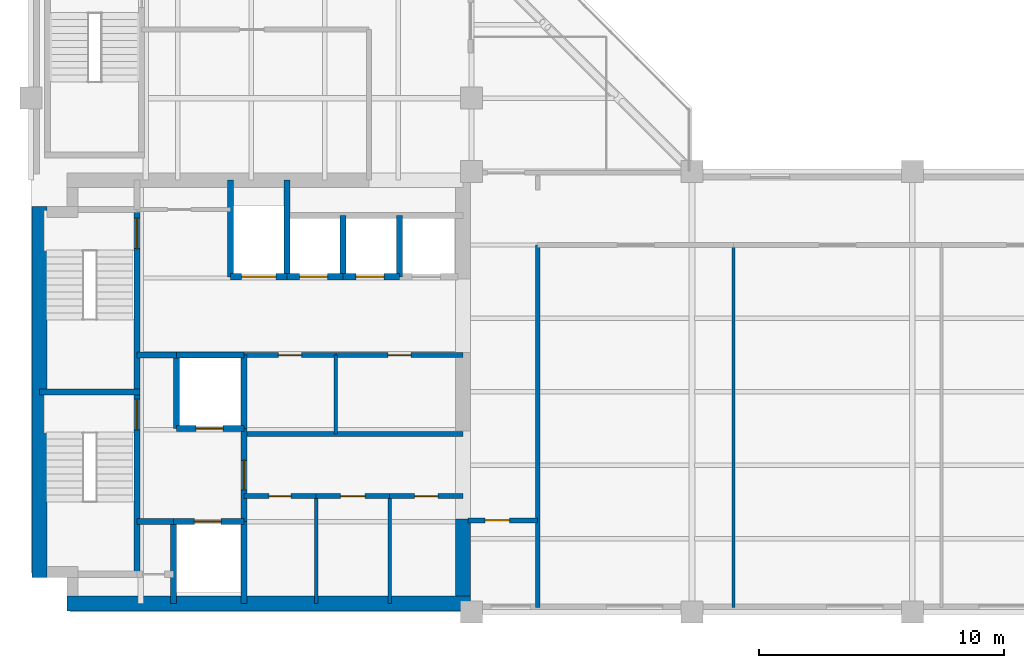
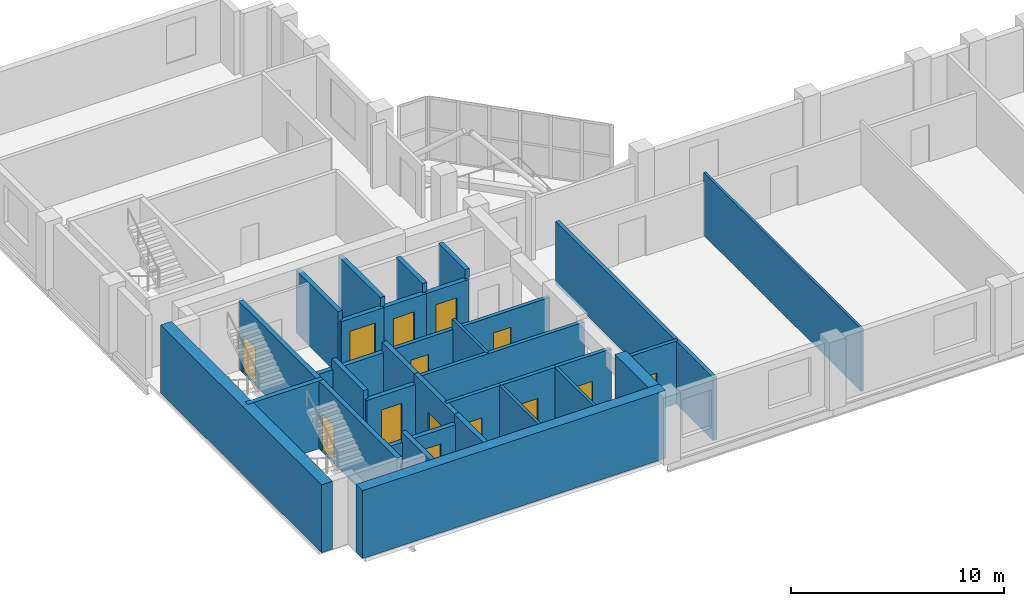
# One storey, part 5 of 9: 35 walls, 14 doors, 14 openings.
"""IFC4 building model written with IfcOpenShell, lengths in metres."""

from ifc_helpers import new_model, si_unit, direction, frame, frame_2d, origin, place, context, subcontext, project, spatial, rectangle, extrude, material, layer, layer_set, type_object, element, fill, save


model = new_model("IFC4")

# Units and contexts
model_context = context("Model", 3, precision=1e-05, world=origin(), true_north=direction((0.0, 1.0)))
body_context = subcontext(model_context, "Body", "Model", "MODEL_VIEW")
ifc_project = project(units=[si_unit("LENGTHUNIT", "METRE"), si_unit("AREAUNIT", "SQUARE_METRE"), si_unit("VOLUMEUNIT", "CUBIC_METRE"), si_unit("PLANEANGLEUNIT", "RADIAN"), si_unit("MASSUNIT", "GRAM", prefix="KILO")], contexts=[model_context])

# Site, building, storey
site_placement = place(None, origin())
site = spatial("IfcSite", under=ifc_project, at=site_placement, CompositionType="ELEMENT")
building_placement = place(site_placement, origin())
building = spatial("IfcBuilding", under=site, at=building_placement, Name="Mawjdan Bourse Tower", CompositionType="ELEMENT")
storey_placement = place(building_placement, frame((0.0, 0.0, 222.89990234375)))
storey = spatial("IfcBuildingStorey", under=building, at=storey_placement, Name="L54", CompositionType="ELEMENT", Elevation=222.89990234375)

# Wall, opening, door
ifc_material_1 = material(Name="Gypsum Fireboard Assembly")
ifc_layer_1 = layer(ifc_material_1, 0.199951171875)
ifc_layer_set_1 = layer_set([ifc_layer_1], Name="Gypsum Fireboard Assembly")
wall_type_1 = type_object("IfcWallType", Name="WL-CMP-200", PredefinedType="PARTITIONING", material=ifc_layer_set_1)
wall_1_placement = place(storey_placement, frame((14.699951171875, 7.739990234375, 0.0), z_axis=(0.0, 0.0, 1.0), x_axis=(1.0, 0.0, 0.0)))
wall_1 = element("IfcWall", 1, at=wall_1_placement, inside=storey, type_object=wall_type_1, Name="L54 IT & Telemetry Room North Wall", PredefinedType="PARTITIONING", context=body_context, shape_type="SweptSolid", body=[
    extrude(rectangle(XDim=2.949951171875, YDim=0.199951171875, at=frame_2d((1.47509765625, 0.0))), origin(), (0.0, 0.0, 1.0), 3.610107421875),
])
opening_1_placement = place(wall_1_placement, frame((1.02490234375, 0.0, 0.0)))
opening_1 = element("IfcOpeningElement", 2, at=opening_1_placement, cuts=wall_1, Name="Opening D-L54-13", PredefinedType="OPENING", context=body_context, shape_type="SweptSolid", body=[
    extrude(rectangle(XDim=0.89990234375, YDim=2.10009765625, at=frame_2d((0.449951171875, 1.050048828125))), frame((0.0, 0.10986328125, 0.0), z_axis=(0.0, -1.0, 0.0), x_axis=(1.0, 0.0, 0.0)), (0.0, 0.0, 1.0), 0.219970703125),
])
ifc_material_2 = material(Name="Fire-Rated Steel Access Leaf", Category="steel")
door_type_1 = type_object("IfcDoorType", Name="FD-RSR-0900", OperationType="NOTDEFINED", PredefinedType="TRAPDOOR", material=ifc_material_2)
door_1_placement = place(opening_1_placement, origin())
door_1 = element("IfcDoor", 3, at=door_1_placement, inside=storey, type_object=door_type_1, Name="L54 IT & Telemetry Room Door D-L54-13", OperationType="SINGLE_SWING_LEFT", OverallHeight=2.10009765625, OverallWidth=0.89990234375, PredefinedType="TRAPDOOR", context=body_context, shape_type="SweptSolid", body=[
    extrude(rectangle(XDim=0.89990234375, YDim=2.10009765625, at=frame_2d((0.449951171875, 1.050048828125))), frame((0.0, 0.02490234375, 0.0), z_axis=(0.0, -1.0, 0.0), x_axis=(1.0, 0.0, 0.0)), (0.0, 0.0, 1.0), 0.050048828125),
])
fill(opening_1, door_1)

wall_2_placement = place(storey_placement, frame((17.64990234375, 7.739990234375, 0.0), z_axis=(0.0, 0.0, 1.0), x_axis=(1.0, 0.0, 0.0)))
wall_2 = element("IfcWall", 4, at=wall_2_placement, inside=storey, type_object=wall_type_1, Name="L54 Mail & Courier Office North Wall", PredefinedType="PARTITIONING", context=body_context, shape_type="SweptSolid", body=[
    extrude(rectangle(XDim=3.0, YDim=0.199951171875, at=frame_2d((1.5, 0.0))), origin(), (0.0, 0.0, 1.0), 3.610107421875),
])
opening_2_placement = place(wall_2_placement, frame((1.0, 0.0, 0.0)))
opening_2 = element("IfcOpeningElement", 5, at=opening_2_placement, cuts=wall_2, Name="Opening D-L54-14", PredefinedType="OPENING", context=body_context, shape_type="SweptSolid", body=[
    extrude(rectangle(XDim=1.0, YDim=2.14990234375, at=frame_2d((0.5, 1.074951171875))), frame((0.0, 0.10986328125, 0.0), z_axis=(0.0, -1.0, 0.0), x_axis=(1.0, 0.0, 0.0)), (0.0, 0.0, 1.0), 0.219970703125),
])
ifc_material_3 = material(Name="Hardwood Acoustic Leaf", Category="wood")
door_type_2 = type_object("IfcDoorType", Name="DR-OFC-1000", OperationType="NOTDEFINED", PredefinedType="DOOR", material=ifc_material_3)
door_2_placement = place(opening_2_placement, origin())
door_2 = element("IfcDoor", 6, at=door_2_placement, inside=storey, type_object=door_type_2, Name="L54 Mail & Courier Office Door D-L54-14", OperationType="SINGLE_SWING_RIGHT", OverallHeight=2.14990234375, OverallWidth=1.0, PredefinedType="DOOR", context=body_context, shape_type="SweptSolid", body=[
    extrude(rectangle(XDim=1.0, YDim=2.14990234375, at=frame_2d((0.5, 1.074951171875))), frame((0.0, 0.02490234375, 0.0), z_axis=(0.0, -1.0, 0.0), x_axis=(1.0, 0.0, 0.0)), (0.0, 0.0, 1.0), 0.050048828125),
])
fill(opening_2, door_2)

wall_3_placement = place(storey_placement, frame((20.64990234375, 7.739990234375, 0.0), z_axis=(0.0, 0.0, 1.0), x_axis=(1.0, 0.0, 0.0)))
wall_3 = element("IfcWall", 7, at=wall_3_placement, inside=storey, type_object=wall_type_1, Name="L54 Staff Refreshment Pantry North Wall", PredefinedType="PARTITIONING", context=body_context, shape_type="SweptSolid", body=[
    extrude(rectangle(XDim=3.0, YDim=0.199951171875, at=frame_2d((1.5, 0.0))), origin(), (0.0, 0.0, 1.0), 3.610107421875),
])
opening_3_placement = place(wall_3_placement, frame((1.02490234375, 0.0, 0.0)))
opening_3 = element("IfcOpeningElement", 8, at=opening_3_placement, cuts=wall_3, Name="Opening D-L54-15", PredefinedType="OPENING", context=body_context, shape_type="SweptSolid", body=[
    extrude(rectangle(XDim=0.949951171875, YDim=2.10009765625, at=frame_2d((0.47509765625, 1.050048828125))), frame((0.0, 0.10986328125, 0.0), z_axis=(0.0, -1.0, 0.0), x_axis=(1.0, 0.0, 0.0)), (0.0, 0.0, 1.0), 0.219970703125),
])
ifc_material_4 = material(Name="Moisture-Resistant Laminate Timber", Category="wood")
door_type_3 = type_object("IfcDoorType", Name="DR-WET-0950", OperationType="NOTDEFINED", PredefinedType="DOOR", material=ifc_material_4)
door_3_placement = place(opening_3_placement, origin())
door_3 = element("IfcDoor", 9, at=door_3_placement, inside=storey, type_object=door_type_3, Name="L54 Staff Refreshment Pantry Door D-L54-15", OperationType="SINGLE_SWING_LEFT", OverallHeight=2.10009765625, OverallWidth=0.949951171875, PredefinedType="DOOR", context=body_context, shape_type="SweptSolid", body=[
    extrude(rectangle(XDim=0.949951171875, YDim=2.10009765625, at=frame_2d((0.47509765625, 1.050048828125))), frame((0.0, 0.02490234375, 0.0), z_axis=(0.0, -1.0, 0.0), x_axis=(1.0, 0.0, 0.0)), (0.0, 0.0, 1.0), 0.050048828125),
])
fill(opening_3, door_3)

# Wall
wall_4_placement = place(storey_placement, frame((14.824951171875, 10.280029296875, 0.0), z_axis=(0.0, 0.0, 1.0), x_axis=(1.0, 0.0, 0.0)))
element("IfcWall", 10, at=wall_4_placement, inside=storey, type_object=wall_type_1, Name="L54 Core Restroom Suite South Wall", PredefinedType="PARTITIONING", context=body_context, shape_type="SweptSolid", body=[
    extrude(rectangle(XDim=8.824951171875, YDim=0.199951171875, at=frame_2d((4.41259765625, 0.0))), origin(), (0.0, 0.0, 1.0), 3.610107421875),
])

# Wall, opening, door
wall_5_placement = place(storey_placement, frame((14.699951171875, 13.5, 0.0), z_axis=(0.0, 0.0, 1.0), x_axis=(1.0, 0.0, 0.0)))
wall_5 = element("IfcWall", 11, at=wall_5_placement, inside=storey, type_object=wall_type_1, Name="L54 Female Restroom North Wall", PredefinedType="PARTITIONING", context=body_context, shape_type="SweptSolid", body=[
    extrude(rectangle(XDim=3.75, YDim=0.199951171875, at=frame_2d((1.875, 0.0))), origin(), (0.0, 0.0, 1.0), 3.072998046875),
])
opening_4_placement = place(wall_5_placement, frame((1.39990234375, 0.0, 0.0)))
opening_4 = element("IfcOpeningElement", 12, at=opening_4_placement, cuts=wall_5, Name="Opening D-L54-16", PredefinedType="OPENING", context=body_context, shape_type="SweptSolid", body=[
    extrude(rectangle(XDim=0.949951171875, YDim=2.10009765625, at=frame_2d((0.47509765625, 1.050048828125))), frame((0.0, 0.10986328125, 0.0), z_axis=(0.0, -1.0, 0.0), x_axis=(1.0, 0.0, 0.0)), (0.0, 0.0, 1.0), 0.219970703125),
])
door_4_placement = place(opening_4_placement, origin())
door_4 = element("IfcDoor", 13, at=door_4_placement, inside=storey, type_object=door_type_3, Name="L54 Female Restroom Door D-L54-16", OperationType="SINGLE_SWING_RIGHT", OverallHeight=2.10009765625, OverallWidth=0.949951171875, PredefinedType="DOOR", context=body_context, shape_type="SweptSolid", body=[
    extrude(rectangle(XDim=0.949951171875, YDim=2.10009765625, at=frame_2d((0.47509765625, 1.050048828125))), frame((0.0, 0.02490234375, 0.0), z_axis=(0.0, -1.0, 0.0), x_axis=(1.0, 0.0, 0.0)), (0.0, 0.0, 1.0), 0.050048828125),
])
fill(opening_4, door_4)

wall_6_placement = place(storey_placement, frame((18.449951171875, 13.5, 0.0), z_axis=(0.0, 0.0, 1.0), x_axis=(1.0, 0.0, 0.0)))
wall_6 = element("IfcWall", 14, at=wall_6_placement, inside=storey, type_object=wall_type_1, Name="L54 Accessible WC North Wall", PredefinedType="PARTITIONING", context=body_context, shape_type="SweptSolid", body=[
    extrude(rectangle(XDim=5.199951171875, YDim=0.199951171875, at=frame_2d((2.60009765625, 0.0))), origin(), (0.0, 0.0, 1.0), 3.072998046875),
])
opening_5_placement = place(wall_6_placement, frame((2.125, 0.0, 0.0)))
opening_5 = element("IfcOpeningElement", 15, at=opening_5_placement, cuts=wall_6, Name="Opening D-L54-17", PredefinedType="OPENING", context=body_context, shape_type="SweptSolid", body=[
    extrude(rectangle(XDim=0.949951171875, YDim=2.10009765625, at=frame_2d((0.47509765625, 1.050048828125))), frame((0.0, 0.10986328125, 0.0), z_axis=(0.0, -1.0, 0.0), x_axis=(1.0, 0.0, 0.0)), (0.0, 0.0, 1.0), 0.219970703125),
])
door_5_placement = place(opening_5_placement, origin())
door_5 = element("IfcDoor", 16, at=door_5_placement, inside=storey, type_object=door_type_3, Name="L54 Accessible WC Door D-L54-17", OperationType="SINGLE_SWING_LEFT", OverallHeight=2.10009765625, OverallWidth=0.949951171875, PredefinedType="DOOR", context=body_context, shape_type="SweptSolid", body=[
    extrude(rectangle(XDim=0.949951171875, YDim=2.10009765625, at=frame_2d((0.47509765625, 1.050048828125))), frame((0.0, 0.02490234375, 0.0), z_axis=(0.0, -1.0, 0.0), x_axis=(1.0, 0.0, 0.0)), (0.0, 0.0, 1.0), 0.050048828125),
])
fill(opening_5, door_5)

wall_7_placement = place(storey_placement, frame((23.85009765625, 6.75, 0.0), z_axis=(0.0, 0.0, 1.0), x_axis=(1.0, 0.0, 0.0)))
wall_7 = element("IfcWall", 17, at=wall_7_placement, inside=storey, type_object=wall_type_1, Name="L54 West Pocket North Wall", PredefinedType="PARTITIONING", context=body_context, shape_type="SweptSolid", body=[
    extrude(rectangle(XDim=2.849853515625, YDim=0.199951171875, at=frame_2d((1.4248046875, 0.0))), origin(), (0.0, 0.0, 1.0), 3.610107421875),
])
opening_6_placement = place(wall_7_placement, frame((0.699951171875, 0.0, 0.0)))
opening_6 = element("IfcOpeningElement", 18, at=opening_6_placement, cuts=wall_7, Name="Opening D-L54-22", PredefinedType="OPENING", context=body_context, shape_type="SweptSolid", body=[
    extrude(rectangle(XDim=1.0, YDim=2.14990234375, at=frame_2d((0.5, 1.074951171875))), frame((0.0, 0.10986328125, 0.0), z_axis=(0.0, -1.0, 0.0), x_axis=(1.0, 0.0, 0.0)), (0.0, 0.0, 1.0), 0.219970703125),
])
door_6_placement = place(opening_6_placement, origin())
door_6 = element("IfcDoor", 19, at=door_6_placement, inside=storey, type_object=door_type_2, Name="L54 West Pocket Office Door D-L54-22", OperationType="SINGLE_SWING_RIGHT", OverallHeight=2.14990234375, OverallWidth=1.0, PredefinedType="DOOR", context=body_context, shape_type="SweptSolid", body=[
    extrude(rectangle(XDim=1.0, YDim=2.14990234375, at=frame_2d((0.5, 1.074951171875))), frame((0.0, 0.02490234375, 0.0), z_axis=(0.0, -1.0, 0.0), x_axis=(1.0, 0.0, 0.0)), (0.0, 0.0, 1.0), 0.050048828125),
])
fill(opening_6, door_6)

# Walls
wall_8_placement = place(storey_placement, frame((26.699951171875, 3.179931640625, 0.0), z_axis=(0.0, 0.0, 1.0), x_axis=(0.0, 1.0, 0.0)))
element("IfcWall", 20, at=wall_8_placement, inside=storey, type_object=wall_type_1, Name="L54 Vestibule South East Wall", PredefinedType="PARTITIONING", context=body_context, shape_type="SweptSolid", body=[
    extrude(rectangle(XDim=14.820068359375, YDim=0.199951171875, at=frame_2d((7.41015625, 0.0))), origin(), (0.0, 0.0, 1.0), 3.610107421875),
])
ifc_material_5 = material(Name="Concrete C70/85", Category="concrete")
ifc_layer_2 = layer(ifc_material_5, 0.60009765625)
ifc_layer_set_2 = layer_set([ifc_layer_2], Name="Concrete C70/85")
wall_type_2 = type_object("IfcWallType", Name="WL-CORE-600", PredefinedType="SHEAR", material=ifc_layer_set_2)
wall_9_placement = place(storey_placement, frame((7.47509765625, 3.35009765625, 0.0), z_axis=(0.0, 0.0, 1.0), x_axis=(1.0, 0.0, 0.0)))
element("IfcWall", 21, at=wall_9_placement, inside=storey, type_object=wall_type_2, Name="L54 Rear Core Shear Wall S", PredefinedType="SHEAR", context=body_context, shape_type="SweptSolid", body=[
    extrude(rectangle(XDim=16.474853515625, YDim=0.60009765625, at=frame_2d((8.2373046875, 0.0))), origin(), (0.0, 0.0, 1.0), 3.900146484375),
])
wall_10_placement = place(storey_placement, frame((6.35009765625, 4.425048828125, 0.0), z_axis=(0.0, 0.0, 1.0), x_axis=(0.0, 1.0, 0.0)))
element("IfcWall", 22, at=wall_10_placement, inside=storey, type_object=wall_type_2, Name="L54 Rear Core Shear Wall W", PredefinedType="SHEAR", context=body_context, shape_type="SweptSolid", body=[
    extrude(rectangle(XDim=15.14990234375, YDim=0.60009765625, at=frame_2d((7.574951171875, 0.0))), origin(), (0.0, 0.0, 1.0), 3.900146484375),
])
wall_11_placement = place(storey_placement, frame((23.64990234375, 3.64990234375, 0.0), z_axis=(0.0, 0.0, 1.0), x_axis=(0.0, 1.0, 0.0)))
element("IfcWall", 23, at=wall_11_placement, inside=storey, type_object=wall_type_2, Name="L54 Rear Core Shear Wall E1", PredefinedType="SHEAR", context=body_context, shape_type="SweptSolid", body=[
    extrude(rectangle(XDim=3.150146484375, YDim=0.60009765625, at=frame_2d((1.5751953125, 0.0))), origin(), (0.0, 0.0, 1.0), 3.900146484375),
])
ifc_material_6 = material(Name="Gypsum Partition")
ifc_layer_3 = layer(ifc_material_6, 0.125)
ifc_layer_set_3 = layer_set([ifc_layer_3], Name="Gypsum Partition")
wall_type_3 = type_object("IfcWallType", Name="WL-PRT-125", PredefinedType="PARTITIONING", material=ifc_layer_set_3)
wall_12_placement = place(storey_placement, frame((34.699951171875, 3.179931640625, 0.0), z_axis=(0.0, 0.0, 1.0), x_axis=(0.0, 1.0, 0.0)))
element("IfcWall", 24, at=wall_12_placement, inside=storey, type_object=wall_type_3, Name="L54 Conference Room Partition", PredefinedType="PARTITIONING", context=body_context, shape_type="SweptSolid", body=[
    extrude(rectangle(XDim=14.820068359375, YDim=0.125, at=frame_2d((7.41015625, 0.0))), origin(), (0.0, 0.0, 1.0), 3.610107421875),
])
ifc_material_7 = material(Name="Gypsum Acoustic Partition")
ifc_layer_4 = layer(ifc_material_7, 0.14990234375)
ifc_layer_set_4 = layer_set([ifc_layer_4], Name="Gypsum Acoustic Partition")
wall_type_4 = type_object("IfcWallType", Name="WL-PRT-150", PredefinedType="PARTITIONING", material=ifc_layer_set_4)
for number, where, z_axis, x_axis, name in (
    (25, (17.64990234375, 3.35009765625, 0.0), (0.0, 0.0, 1.0), (0.0, 1.0, 0.0), "L54 Mail & Courier Office Core Split Wall"),
    (26, (20.64990234375, 3.35009765625, 0.0), (0.0, 0.0, 1.0), (0.0, 1.0, 0.0), "L54 Staff Refreshment Pantry Core Split Wall"),
):
    element("IfcWall", number, at=place(storey_placement, frame(where, z_axis=z_axis, x_axis=x_axis)), inside=storey, type_object=wall_type_4, Name=name, PredefinedType="PARTITIONING", context=body_context, shape_type="SweptSolid", body=[
        extrude(rectangle(XDim=4.389892578125, YDim=0.14990234375, at=frame_2d((2.19482421875, 0.0))), origin(), (0.0, 0.0, 1.0), 3.610107421875),
    ])
wall_13_placement = place(storey_placement, frame((18.449951171875, 10.280029296875, 0.0), z_axis=(0.0, 0.0, 1.0), x_axis=(0.0, 1.0, 0.0)))
element("IfcWall", 27, at=wall_13_placement, inside=storey, type_object=wall_type_4, Name="L54 Accessible WC Split Wall", PredefinedType="PARTITIONING", context=body_context, shape_type="SweptSolid", body=[
    extrude(rectangle(XDim=3.219970703125, YDim=0.14990234375, at=frame_2d((1.60986328125, 0.0))), origin(), (0.0, 0.0, 1.0), 3.610107421875),
])
ifc_material_8 = material(Name="Concrete C50/60", Category="concrete")
ifc_layer_5 = layer(ifc_material_8, 0.25)
ifc_layer_set_5 = layer_set([ifc_layer_5], Name="Concrete C50/60")
wall_type_5 = type_object("IfcWallType", Name="WL-SHFT-250", PredefinedType="PARTITIONING", material=ifc_layer_set_5)
wall_14_placement = place(storey_placement, frame((11.820068359375, 3.35009765625, 0.0), z_axis=(0.0, 0.0, 1.0), x_axis=(0.0, 1.0, 0.0)))
element("IfcWall", 28, at=wall_14_placement, inside=storey, type_object=wall_type_5, Name="L54 SW Riser & FFL01 West Wall", PredefinedType="PARTITIONING", context=body_context, shape_type="SweptSolid", body=[
    extrude(rectangle(XDim=3.349853515625, YDim=0.25, at=frame_2d((1.6748046875, 0.0))), origin(), (0.0, 0.0, 1.0), 3.610107421875),
])

# Wall, opening, door
wall_15_placement = place(storey_placement, frame((11.820068359375, 6.699951171875, 0.0), z_axis=(0.0, 0.0, 1.0), x_axis=(1.0, 0.0, 0.0)))
wall_15 = element("IfcWall", 29, at=wall_15_placement, inside=storey, type_object=wall_type_5, Name="L54 FFL-01 Front Shaft Wall", PredefinedType="PARTITIONING", context=body_context, shape_type="SweptSolid", body=[
    extrude(rectangle(XDim=2.8798828125, YDim=0.25, at=frame_2d((1.43994140625, 0.0))), origin(), (0.0, 0.0, 1.0), 3.072998046875),
])
opening_7_placement = place(wall_15_placement, frame((0.85009765625, 0.0, 0.0)))
opening_7 = element("IfcOpeningElement", 30, at=opening_7_placement, cuts=wall_15, Name="Opening LD-L54-05", PredefinedType="OPENING", context=body_context, shape_type="SweptSolid", body=[
    extrude(rectangle(XDim=1.10009765625, YDim=2.25, at=frame_2d((0.550048828125, 1.125))), frame((0.0, 0.135009765625, 0.0), z_axis=(0.0, -1.0, 0.0), x_axis=(1.0, 0.0, 0.0)), (0.0, 0.0, 1.0), 0.27001953125),
])
ifc_material_9 = material(Name="Brushed Stainless Steel", Category="steel")
door_type_4 = type_object("IfcDoorType", Name="LD-FFL-1100", OperationType="DOUBLE_DOOR_SLIDING", PredefinedType="DOOR", material=ifc_material_9)
door_7_placement = place(opening_7_placement, origin())
door_7 = element("IfcDoor", 31, at=door_7_placement, inside=storey, type_object=door_type_4, Name="L54 Firefighting Lift FFL-01 Landing Door LD-L54-05", OperationType="DOUBLE_DOOR_SLIDING", OverallHeight=2.25, OverallWidth=1.10009765625, PredefinedType="DOOR", context=body_context, shape_type="SweptSolid", body=[
    extrude(rectangle(XDim=1.10009765625, YDim=2.25, at=frame_2d((0.550048828125, 1.125))), frame((0.0, 0.02490234375, 0.0), z_axis=(0.0, -1.0, 0.0), x_axis=(1.0, 0.0, 0.0)), (0.0, 0.0, 1.0), 0.050048828125),
])
fill(opening_7, door_7)

# Wall
wall_16_placement = place(storey_placement, frame((14.699951171875, 3.35009765625, 0.0), z_axis=(0.0, 0.0, 1.0), x_axis=(0.0, 1.0, 0.0)))
element("IfcWall", 32, at=wall_16_placement, inside=storey, type_object=wall_type_5, Name="L54 FFL-01 East Shaft Wall", PredefinedType="PARTITIONING", context=body_context, shape_type="SweptSolid", body=[
    extrude(rectangle(XDim=3.349853515625, YDim=0.25, at=frame_2d((1.6748046875, 0.0))), origin(), (0.0, 0.0, 1.0), 3.610107421875),
])

# Wall, opening, door
wall_17_placement = place(storey_placement, frame((11.949951171875, 10.5, 0.0), z_axis=(0.0, 0.0, 1.0), x_axis=(1.0, 0.0, 0.0)))
wall_17 = element("IfcWall", 33, at=wall_17_placement, inside=storey, type_object=wall_type_5, Name="L54 FFL-02 Front Shaft Wall", PredefinedType="PARTITIONING", context=body_context, shape_type="SweptSolid", body=[
    extrude(rectangle(XDim=2.75, YDim=0.25, at=frame_2d((1.375, 0.0))), origin(), (0.0, 0.0, 1.0), 3.072998046875),
])
opening_8_placement = place(wall_17_placement, frame((0.800048828125, 0.0, 0.0)))
opening_8 = element("IfcOpeningElement", 34, at=opening_8_placement, cuts=wall_17, Name="Opening LD-L54-06", PredefinedType="OPENING", context=body_context, shape_type="SweptSolid", body=[
    extrude(rectangle(XDim=1.10009765625, YDim=2.25, at=frame_2d((0.550048828125, 1.125))), frame((0.0, 0.135009765625, 0.0), z_axis=(0.0, -1.0, 0.0), x_axis=(1.0, 0.0, 0.0)), (0.0, 0.0, 1.0), 0.27001953125),
])
door_8_placement = place(opening_8_placement, origin())
door_8 = element("IfcDoor", 35, at=door_8_placement, inside=storey, type_object=door_type_4, Name="L54 Firefighting Lift FFL-02 Landing Door LD-L54-06", OperationType="DOUBLE_DOOR_SLIDING", OverallHeight=2.25, OverallWidth=1.10009765625, PredefinedType="DOOR", context=body_context, shape_type="SweptSolid", body=[
    extrude(rectangle(XDim=1.10009765625, YDim=2.25, at=frame_2d((0.550048828125, 1.125))), frame((0.0, 0.02490234375, 0.0), z_axis=(0.0, -1.0, 0.0), x_axis=(1.0, 0.0, 0.0)), (0.0, 0.0, 1.0), 0.050048828125),
])
fill(opening_8, door_8)

# Walls
wall_18_placement = place(storey_placement, frame((11.949951171875, 10.5, 0.0), z_axis=(0.0, 0.0, 1.0), x_axis=(0.0, 1.0, 0.0)))
element("IfcWall", 36, at=wall_18_placement, inside=storey, type_object=wall_type_5, Name="L54 FFL-02 West Shaft Wall", PredefinedType="PARTITIONING", context=body_context, shape_type="SweptSolid", body=[
    extrude(rectangle(XDim=3.0, YDim=0.25, at=frame_2d((1.5, 0.0))), origin(), (0.0, 0.0, 1.0), 3.610107421875),
])
wall_19_placement = place(storey_placement, frame((11.949951171875, 13.5, 0.0), z_axis=(0.0, 0.0, 1.0), x_axis=(1.0, 0.0, 0.0)))
element("IfcWall", 37, at=wall_19_placement, inside=storey, type_object=wall_type_5, Name="L54 FFL-02 North Shaft Wall", PredefinedType="PARTITIONING", context=body_context, shape_type="SweptSolid", body=[
    extrude(rectangle(XDim=2.75, YDim=0.25, at=frame_2d((1.375, 0.0))), origin(), (0.0, 0.0, 1.0), 3.072998046875),
])
wall_20_placement = place(storey_placement, frame((14.699951171875, 10.5, 0.0), z_axis=(0.0, 0.0, 1.0), x_axis=(0.0, 1.0, 0.0)))
element("IfcWall", 38, at=wall_20_placement, inside=storey, type_object=wall_type_5, Name="L54 FFL-02 East Shaft Wall", PredefinedType="PARTITIONING", context=body_context, shape_type="SweptSolid", body=[
    extrude(rectangle(XDim=3.0, YDim=0.25, at=frame_2d((1.5, 0.0))), origin(), (0.0, 0.0, 1.0), 3.610107421875),
])

# Wall, opening, door
wall_21_placement = place(storey_placement, frame((14.699951171875, 6.699951171875, 0.0), z_axis=(0.0, 0.0, 1.0), x_axis=(0.0, 1.0, 0.0)))
wall_21 = element("IfcWall", 39, at=wall_21_placement, inside=storey, type_object=wall_type_5, Name="L54 Firefighting Lobby East Compartment Wall", PredefinedType="PARTITIONING", context=body_context, shape_type="SweptSolid", body=[
    extrude(rectangle(XDim=3.800048828125, YDim=0.25, at=frame_2d((1.89990234375, 0.0))), origin(), (0.0, 0.0, 1.0), 3.610107421875),
])
opening_9_placement = place(wall_21_placement, frame((1.300048828125, 0.0, 0.0)))
opening_9 = element("IfcOpeningElement", 40, at=opening_9_placement, cuts=wall_21, Name="Opening FD-L54-07", PredefinedType="OPENING", context=body_context, shape_type="SweptSolid", body=[
    extrude(rectangle(XDim=1.199951171875, YDim=2.199951171875, at=frame_2d((0.60009765625, 1.10009765625))), frame((0.0, 0.135009765625, 0.0), z_axis=(0.0, -1.0, 0.0), x_axis=(1.0, 0.0, 0.0)), (0.0, 0.0, 1.0), 0.27001953125),
])
ifc_material_10 = material(Name="Fire-Rated Steel Leaf", Category="steel")
door_type_5 = type_object("IfcDoorType", Name="FD-FFL-1200", OperationType="NOTDEFINED", PredefinedType="DOOR", material=ifc_material_10)
door_9_placement = place(opening_9_placement, origin())
door_9 = element("IfcDoor", 41, at=door_9_placement, inside=storey, type_object=door_type_5, Name="L54 Firefighting Lobby East Smoke Door FD-L54-07", OperationType="SINGLE_SWING_LEFT", OverallHeight=2.199951171875, OverallWidth=1.199951171875, PredefinedType="DOOR", context=body_context, shape_type="SweptSolid", body=[
    extrude(rectangle(XDim=1.199951171875, YDim=2.199951171875, at=frame_2d((0.60009765625, 1.10009765625))), frame((0.0, 0.02490234375, 0.0), z_axis=(0.0, -1.0, 0.0), x_axis=(1.0, 0.0, 0.0)), (0.0, 0.0, 1.0), 0.050048828125),
])
fill(opening_9, door_9)

# Walls
wall_22_placement = place(storey_placement, frame((10.330078125, 13.5, 0.0), z_axis=(0.0, 0.0, 1.0), x_axis=(1.0, 0.0, 0.0)))
element("IfcWall", 42, at=wall_22_placement, inside=storey, type_object=wall_type_5, Name="L54 Firefighting Lobby North Compartment Wall", PredefinedType="PARTITIONING", context=body_context, shape_type="SweptSolid", body=[
    extrude(rectangle(XDim=1.619873046875, YDim=0.25, at=frame_2d((0.81005859375, 0.0))), origin(), (0.0, 0.0, 1.0), 3.072998046875),
])
wall_23_placement = place(storey_placement, frame((10.330078125, 6.699951171875, 0.0), z_axis=(0.0, 0.0, 1.0), x_axis=(1.0, 0.0, 0.0)))
element("IfcWall", 43, at=wall_23_placement, inside=storey, type_object=wall_type_5, Name="L54 Firefighting Lobby South Closure Wall", PredefinedType="PARTITIONING", context=body_context, shape_type="SweptSolid", body=[
    extrude(rectangle(XDim=1.489990234375, YDim=0.25, at=frame_2d((0.7451171875, 0.0))), origin(), (0.0, 0.0, 1.0), 3.072998046875),
])

# Wall, opening, door
wall_24_placement = place(storey_placement, frame((14.14990234375, 16.699951171875, 0.0), z_axis=(0.0, 0.0, 1.0), x_axis=(1.0, 0.0, 0.0)))
wall_24 = element("IfcWall", 44, at=wall_24_placement, inside=storey, type_object=wall_type_5, Name="L54 SVL-01 Front Shaft Wall", PredefinedType="PARTITIONING", context=body_context, shape_type="SweptSolid", body=[
    extrude(rectangle(XDim=2.300048828125, YDim=0.25, at=frame_2d((1.14990234375, 0.0))), origin(), (0.0, 0.0, 1.0), 3.072998046875),
])
opening_10_placement = place(wall_24_placement, frame((0.449951171875, 0.0, 0.0)))
opening_10 = element("IfcOpeningElement", 45, at=opening_10_placement, cuts=wall_24, Name="Opening LD-L54-09", PredefinedType="OPENING", context=body_context, shape_type="SweptSolid", body=[
    extrude(rectangle(XDim=1.39990234375, YDim=2.35009765625, at=frame_2d((0.699951171875, 1.175048828125))), frame((0.0, 0.135009765625, 0.0), z_axis=(0.0, -1.0, 0.0), x_axis=(1.0, 0.0, 0.0)), (0.0, 0.0, 1.0), 0.27001953125),
])
ifc_material_11 = material(Name="Heavy-Duty Stainless Steel", Category="steel")
door_type_6 = type_object("IfcDoorType", Name="LD-SRV-1400", OperationType="DOUBLE_DOOR_SLIDING", PredefinedType="DOOR", material=ifc_material_11)
door_10_placement = place(opening_10_placement, origin())
door_10 = element("IfcDoor", 46, at=door_10_placement, inside=storey, type_object=door_type_6, Name="L54 Service Lift SVL-01 Landing Door LD-L54-09", OperationType="DOUBLE_DOOR_SLIDING", OverallHeight=2.35009765625, OverallWidth=1.39990234375, PredefinedType="DOOR", context=body_context, shape_type="SweptSolid", body=[
    extrude(rectangle(XDim=1.39990234375, YDim=2.35009765625, at=frame_2d((0.699951171875, 1.175048828125))), frame((0.0, 0.02490234375, 0.0), z_axis=(0.0, -1.0, 0.0), x_axis=(1.0, 0.0, 0.0)), (0.0, 0.0, 1.0), 0.050048828125),
])
fill(opening_10, door_10)

# Walls
for number, where, z_axis, x_axis, name in (
    (47, (14.14990234375, 16.699951171875, 0.0), (0.0, 0.0, 1.0), (0.0, 1.0, 0.0), "L54 SVL-01 West Shaft Wall"),
    (48, (16.449951171875, 16.699951171875, 0.0), (0.0, 0.0, 1.0), (0.0, 1.0, 0.0), "L54 SVL-01 East Shaft Wall"),
):
    element("IfcWall", number, at=place(storey_placement, frame(where, z_axis=z_axis, x_axis=x_axis)), inside=storey, type_object=wall_type_5, Name=name, PredefinedType="PARTITIONING", context=body_context, shape_type="SweptSolid", body=[
        extrude(rectangle(XDim=3.949951171875, YDim=0.25, at=frame_2d((1.97509765625, 0.0))), origin(), (0.0, 0.0, 1.0), 3.610107421875),
    ])

# Wall, opening, door
wall_25_placement = place(storey_placement, frame((16.449951171875, 16.699951171875, 0.0), z_axis=(0.0, 0.0, 1.0), x_axis=(1.0, 0.0, 0.0)))
wall_25 = element("IfcWall", 49, at=wall_25_placement, inside=storey, type_object=wall_type_5, Name="L54 PH-01 Front Wall", PredefinedType="PARTITIONING", context=body_context, shape_type="SweptSolid", body=[
    extrude(rectangle(XDim=2.300048828125, YDim=0.25, at=frame_2d((1.14990234375, 0.0))), origin(), (0.0, 0.0, 1.0), 3.072998046875),
])
opening_11_placement = place(wall_25_placement, frame((0.52001953125, 0.0, 0.0)))
opening_11 = element("IfcOpeningElement", 50, at=opening_11_placement, cuts=wall_25, Name="Opening LD-L54-10", PredefinedType="OPENING", context=body_context, shape_type="SweptSolid", body=[
    extrude(rectangle(XDim=1.14990234375, YDim=2.25, at=frame_2d((0.574951171875, 1.125))), frame((0.0, 0.135009765625, 0.0), z_axis=(0.0, -1.0, 0.0), x_axis=(1.0, 0.0, 0.0)), (0.0, 0.0, 1.0), 0.27001953125),
])
door_type_7 = type_object("IfcDoorType", Name="LD-PAS-1150", OperationType="DOUBLE_DOOR_SLIDING", PredefinedType="DOOR", material=ifc_material_9)
door_11_placement = place(opening_11_placement, origin())
door_11 = element("IfcDoor", 51, at=door_11_placement, inside=storey, type_object=door_type_7, Name="L54 Lift PH-01 Landing Door LD-L54-10", OperationType="DOUBLE_DOOR_SLIDING", OverallHeight=2.25, OverallWidth=1.14990234375, PredefinedType="DOOR", context=body_context, shape_type="SweptSolid", body=[
    extrude(rectangle(XDim=1.14990234375, YDim=2.25, at=frame_2d((0.574951171875, 1.125))), frame((0.0, 0.02490234375, 0.0), z_axis=(0.0, -1.0, 0.0), x_axis=(1.0, 0.0, 0.0)), (0.0, 0.0, 1.0), 0.050048828125),
])
fill(opening_11, door_11)

# Wall
wall_26_placement = place(storey_placement, frame((18.75, 16.699951171875, 0.0), z_axis=(0.0, 0.0, 1.0), x_axis=(0.0, 1.0, 0.0)))
element("IfcWall", 52, at=wall_26_placement, inside=storey, type_object=wall_type_5, Name="L54 PH-01 Divider Wall", PredefinedType="PARTITIONING", context=body_context, shape_type="SweptSolid", body=[
    extrude(rectangle(XDim=2.5, YDim=0.25, at=frame_2d((1.25, 0.0))), origin(), (0.0, 0.0, 1.0), 3.610107421875),
])

# Wall, opening, door
wall_27_placement = place(storey_placement, frame((18.75, 16.699951171875, 0.0), z_axis=(0.0, 0.0, 1.0), x_axis=(1.0, 0.0, 0.0)))
wall_27 = element("IfcWall", 53, at=wall_27_placement, inside=storey, type_object=wall_type_5, Name="L54 PH-02 Front Wall", PredefinedType="PARTITIONING", context=body_context, shape_type="SweptSolid", body=[
    extrude(rectangle(XDim=2.300048828125, YDim=0.25, at=frame_2d((1.14990234375, 0.0))), origin(), (0.0, 0.0, 1.0), 3.072998046875),
])
opening_12_placement = place(wall_27_placement, frame((0.52001953125, 0.0, 0.0)))
opening_12 = element("IfcOpeningElement", 54, at=opening_12_placement, cuts=wall_27, Name="Opening LD-L54-11", PredefinedType="OPENING", context=body_context, shape_type="SweptSolid", body=[
    extrude(rectangle(XDim=1.14990234375, YDim=2.25, at=frame_2d((0.574951171875, 1.125))), frame((0.0, 0.135009765625, 0.0), z_axis=(0.0, -1.0, 0.0), x_axis=(1.0, 0.0, 0.0)), (0.0, 0.0, 1.0), 0.27001953125),
])
door_12_placement = place(opening_12_placement, origin())
door_12 = element("IfcDoor", 55, at=door_12_placement, inside=storey, type_object=door_type_7, Name="L54 Lift PH-02 Landing Door LD-L54-11", OperationType="DOUBLE_DOOR_SLIDING", OverallHeight=2.25, OverallWidth=1.14990234375, PredefinedType="DOOR", context=body_context, shape_type="SweptSolid", body=[
    extrude(rectangle(XDim=1.14990234375, YDim=2.25, at=frame_2d((0.574951171875, 1.125))), frame((0.0, 0.02490234375, 0.0), z_axis=(0.0, -1.0, 0.0), x_axis=(1.0, 0.0, 0.0)), (0.0, 0.0, 1.0), 0.050048828125),
])
fill(opening_12, door_12)

# Walls
wall_28_placement = place(storey_placement, frame((21.050048828125, 16.699951171875, 0.0), z_axis=(0.0, 0.0, 1.0), x_axis=(0.0, 1.0, 0.0)))
element("IfcWall", 56, at=wall_28_placement, inside=storey, type_object=wall_type_5, Name="L54 PH-02 Divider Wall", PredefinedType="PARTITIONING", context=body_context, shape_type="SweptSolid", body=[
    extrude(rectangle(XDim=2.5, YDim=0.25, at=frame_2d((1.25, 0.0))), origin(), (0.0, 0.0, 1.0), 3.610107421875),
])
ifc_layer_6 = layer(ifc_material_8, 0.25)
ifc_layer_set_6 = layer_set([ifc_layer_6], Name="Concrete C50/60")
wall_type_6 = type_object("IfcWallType", Name="WL-STRW-250", PredefinedType="SHEAR", material=ifc_layer_set_6)
wall_29_placement = place(storey_placement, frame((6.35009765625, 12.0, 0.0), z_axis=(0.0, 0.0, 1.0), x_axis=(1.0, 0.0, 0.0)))
element("IfcWall", 57, at=wall_29_placement, inside=storey, type_object=wall_type_6, Name="L54 Stairwell Dividing Shaft Wall", PredefinedType="SHEAR", context=body_context, shape_type="SweptSolid", body=[
    extrude(rectangle(XDim=4.10498046875, YDim=0.25, at=frame_2d((2.052490234375, 0.0))), origin(), (0.0, 0.0, 1.0), 3.900146484375),
])

# Wall, opening, door
wall_30_placement = place(storey_placement, frame((10.330078125, 4.550048828125, 0.0), z_axis=(0.0, 0.0, 1.0), x_axis=(0.0, 1.0, 0.0)))
wall_30 = element("IfcWall", 58, at=wall_30_placement, inside=storey, type_object=wall_type_6, Name="L54 Stairwell ST1 East Enclosure Wall", PredefinedType="SHEAR", context=body_context, shape_type="SweptSolid", body=[
    extrude(rectangle(XDim=7.449951171875, YDim=0.25, at=frame_2d((3.72509765625, 0.0))), origin(), (0.0, 0.0, 1.0), 3.900146484375),
])
opening_13_placement = place(wall_30_placement, frame((5.89990234375, 0.0, 0.0)))
opening_13 = element("IfcOpeningElement", 59, at=opening_13_placement, cuts=wall_30, Name="Opening SD-L54-01", PredefinedType="OPENING", context=body_context, shape_type="SweptSolid", body=[
    extrude(rectangle(XDim=1.25, YDim=2.199951171875, at=frame_2d((0.625, 1.10009765625))), frame((0.0, 0.135009765625, 0.0), z_axis=(0.0, -1.0, 0.0), x_axis=(1.0, 0.0, 0.0)), (0.0, 0.0, 1.0), 0.27001953125),
])
door_type_8 = type_object("IfcDoorType", Name="FD-ST-1250", OperationType="NOTDEFINED", PredefinedType="DOOR", material=ifc_material_10)
door_13_placement = place(opening_13_placement, origin())
door_13 = element("IfcDoor", 60, at=door_13_placement, inside=storey, type_object=door_type_8, Name="L54 Exit Stair ST1 Fire Door SD-L54-01", OperationType="SINGLE_SWING_LEFT", OverallHeight=2.199951171875, OverallWidth=1.25, PredefinedType="DOOR", context=body_context, shape_type="SweptSolid", body=[
    extrude(rectangle(XDim=1.25, YDim=2.199951171875, at=frame_2d((0.625, 1.10009765625))), frame((0.0, 0.02490234375, 0.0), z_axis=(0.0, -1.0, 0.0), x_axis=(1.0, 0.0, 0.0)), (0.0, 0.0, 1.0), 0.050048828125),
])
fill(opening_13, door_13)

wall_31_placement = place(storey_placement, frame((10.330078125, 12.0, 0.0), z_axis=(0.0, 0.0, 1.0), x_axis=(0.0, 1.0, 0.0)))
wall_31 = element("IfcWall", 61, at=wall_31_placement, inside=storey, type_object=wall_type_6, Name="L54 Stairwell ST2 East Enclosure Wall", PredefinedType="SHEAR", context=body_context, shape_type="SweptSolid", body=[
    extrude(rectangle(XDim=7.449951171875, YDim=0.25, at=frame_2d((3.72509765625, 0.0))), origin(), (0.0, 0.0, 1.0), 3.900146484375),
])
opening_14_placement = place(wall_31_placement, frame((5.85009765625, 0.0, 0.0)))
opening_14 = element("IfcOpeningElement", 62, at=opening_14_placement, cuts=wall_31, Name="Opening SD-L54-02", PredefinedType="OPENING", context=body_context, shape_type="SweptSolid", body=[
    extrude(rectangle(XDim=1.25, YDim=2.199951171875, at=frame_2d((0.625, 1.10009765625))), frame((0.0, 0.135009765625, 0.0), z_axis=(0.0, -1.0, 0.0), x_axis=(1.0, 0.0, 0.0)), (0.0, 0.0, 1.0), 0.27001953125),
])
door_14_placement = place(opening_14_placement, origin())
door_14 = element("IfcDoor", 63, at=door_14_placement, inside=storey, type_object=door_type_8, Name="L54 Exit Stair ST2 Fire Door SD-L54-02", OperationType="SINGLE_SWING_RIGHT", OverallHeight=2.199951171875, OverallWidth=1.25, PredefinedType="DOOR", context=body_context, shape_type="SweptSolid", body=[
    extrude(rectangle(XDim=1.25, YDim=2.199951171875, at=frame_2d((0.625, 1.10009765625))), frame((0.0, 0.02490234375, 0.0), z_axis=(0.0, -1.0, 0.0), x_axis=(1.0, 0.0, 0.0)), (0.0, 0.0, 1.0), 0.050048828125),
])
fill(opening_14, door_14)

save(model, "model.ifc")
